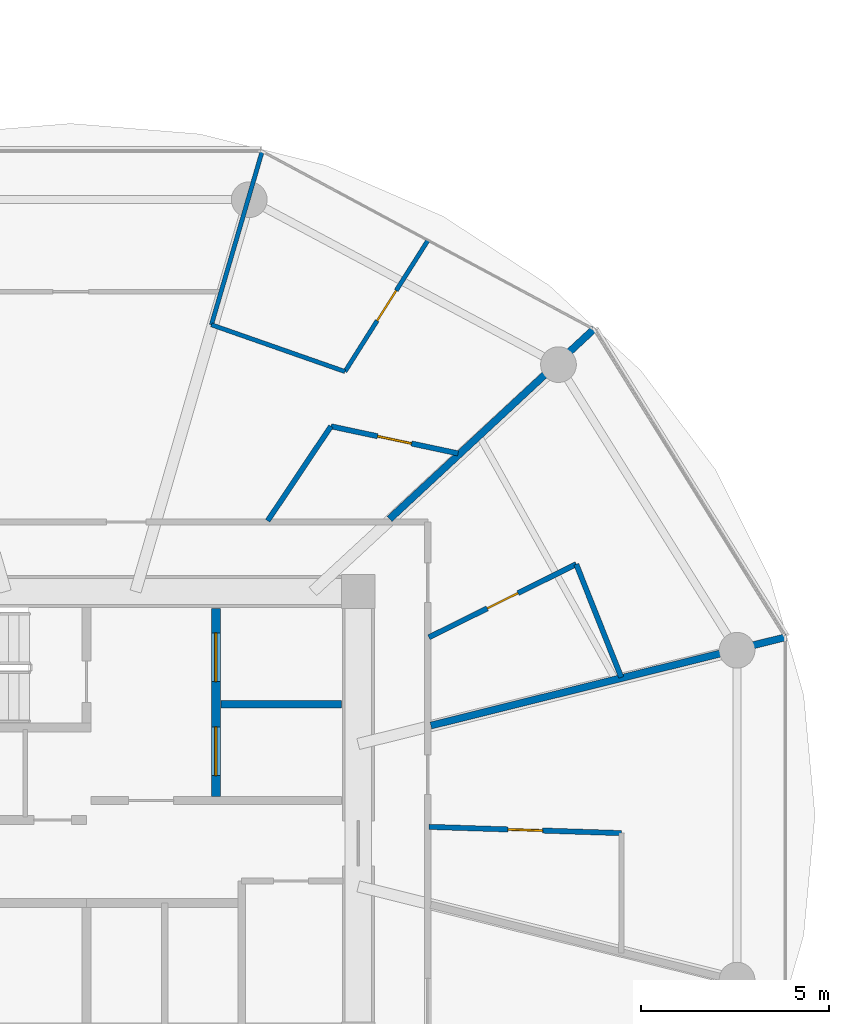
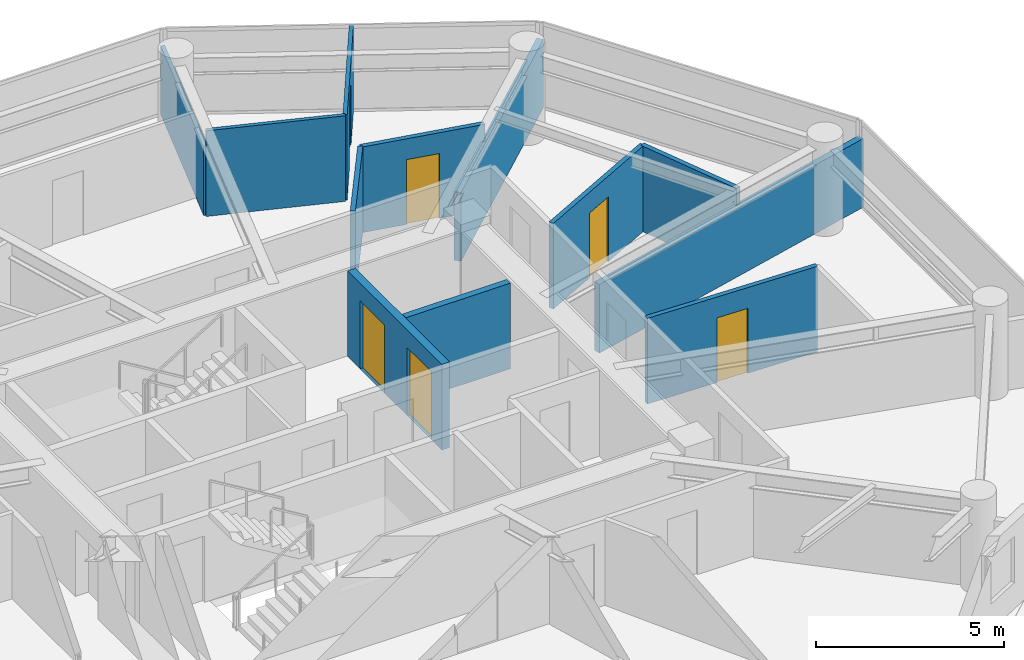
# One storey, part 20 of 26: 12 walls, 6 doors, 6 openings.
"""IFC4 building model written with IfcOpenShell, lengths in metres."""

from ifc_helpers import new_model, si_unit, direction, frame, frame_2d, origin, place, context, subcontext, project, spatial, rectangle, extrude, source, transform, mapped, material, layer, layer_set, type_object, type_shapes, element, fill, save


model = new_model("IFC4")

# Units and contexts
model_context = context("Model", 3, precision=1e-05, world=origin(), true_north=direction((0.0, 1.0)))
body_context = subcontext(model_context, "Body", "Model", "MODEL_VIEW")
ifc_project = project(units=[si_unit("LENGTHUNIT", "METRE"), si_unit("AREAUNIT", "SQUARE_METRE"), si_unit("VOLUMEUNIT", "CUBIC_METRE"), si_unit("PLANEANGLEUNIT", "RADIAN"), si_unit("MASSUNIT", "GRAM", prefix="KILO")], contexts=[model_context])

# Site, building, storey
site_placement = place(None, origin())
site = spatial("IfcSite", under=ifc_project, at=site_placement, CompositionType="ELEMENT")
building_placement = place(site_placement, origin())
building = spatial("IfcBuilding", under=site, at=building_placement, Name="Norrkilde Senior Care Towers", CompositionType="ELEMENT")
storey_placement = place(building_placement, frame((0.0, 0.0, 24.64990234375)))
storey = spatial("IfcBuildingStorey", under=building, at=storey_placement, Name="L06", CompositionType="ELEMENT", Elevation=24.64990234375)

# Wall, openings, doors
ifc_material_1 = material(Name="Concrete C45/55", Category="concrete")
ifc_layer_1 = layer(ifc_material_1, 0.239990234375)
ifc_layer_set_1 = layer_set([ifc_layer_1], Name="Concrete C45/55")
wall_type_1 = type_object("IfcWallType", Name="Lift and Plant Rated Enclosure Partition 240", PredefinedType="PARTITIONING", material=ifc_layer_set_1)
shared_shape_1 = source(origin(), body_context, "Body", "SweptSolid", [
    extrude(rectangle(XDim=5.0, YDim=0.239990234375, at=frame_2d((2.5, 0.0))), origin(), (0.0, 0.0, 1.0), 2.775146484375),
])
type_shapes(wall_type_1, [shared_shape_1])
wall_1_placement = place(storey_placement, frame((31.860107421875, 0.5, 0.0), z_axis=(0.0, 0.0, 1.0), x_axis=(0.0, 1.0, 0.0)))
wall_1 = element("IfcWall", 1, at=wall_1_placement, inside=storey, type_object=wall_type_1, Name="WL-INT-L06-E-FFLE", PredefinedType="PARTITIONING", context=body_context, shape_type="MappedRepresentation", body=[
    mapped(shared_shape_1, transform((0.0, 0.0, 0.0), x_axis=(1.0, 0.0, 0.0), y_axis=(0.0, 1.0, 0.0), z_axis=(0.0, 0.0, 1.0), scale=1.0)),
])
opening_1_placement = place(wall_1_placement, frame((3.050048828125, 0.0, 0.0)))
opening_1 = element("IfcOpeningElement", 2, at=opening_1_placement, cuts=wall_1, Name="Opening LD-02", PredefinedType="OPENING", context=body_context, shape_type="SweptSolid", body=[
    extrude(rectangle(XDim=1.300048828125, YDim=2.199951171875, at=frame_2d((0.64990234375, 1.10009765625))), frame((0.0, 0.1298828125, 0.0), z_axis=(0.0, -1.0, 0.0), x_axis=(1.0, 0.0, 0.0)), (0.0, 0.0, 1.0), 0.260009765625),
])
opening_2_placement = place(wall_1_placement, frame((0.550048828125, 0.0, 0.0)))
opening_2 = element("IfcOpeningElement", 3, at=opening_2_placement, cuts=wall_1, Name="Opening LD-02", PredefinedType="OPENING", context=body_context, shape_type="SweptSolid", body=[
    extrude(rectangle(XDim=1.300048828125, YDim=2.199951171875, at=frame_2d((0.64990234375, 1.10009765625))), frame((0.0, 0.1298828125, 0.0), z_axis=(0.0, -1.0, 0.0), x_axis=(1.0, 0.0, 0.0)), (0.0, 0.0, 1.0), 0.260009765625),
])
ifc_material_2 = material(Name="Stainless Steel", Category="steel")
door_type_1 = type_object("IfcDoorType", Name="Stretcher and FFL Landing Sliding Door 1300x2200", OperationType="NOTDEFINED", PredefinedType="DOOR", material=ifc_material_2)
shared_shape_2 = source(origin(), body_context, "Body", "SweptSolid", [
    extrude(rectangle(XDim=1.300048828125, YDim=2.199951171875, at=frame_2d((0.64990234375, 1.10009765625))), frame((0.0, 0.02490234375, 0.0), z_axis=(0.0, -1.0, 0.0), x_axis=(1.0, 0.0, 0.0)), (0.0, 0.0, 1.0), 0.050048828125),
])
type_shapes(door_type_1, [shared_shape_2])
door_1_placement = place(opening_1_placement, origin())
door_1 = element("IfcDoor", 4, at=door_1_placement, inside=storey, type_object=door_type_1, Name="L06 Firefighting Lift E1 Landing Door", OperationType="SLIDING_TO_LEFT", OverallHeight=2.199951171875, OverallWidth=1.300048828125, PredefinedType="DOOR", context=body_context, shape_type="MappedRepresentation", body=[
    mapped(shared_shape_2, transform((0.0, 0.0, 0.0), x_axis=(1.0, 0.0, 0.0), y_axis=(0.0, 1.0, 0.0), z_axis=(0.0, 0.0, 1.0), scale=1.0)),
])
fill(opening_1, door_1)
door_2_placement = place(opening_2_placement, origin())
door_2 = element("IfcDoor", 5, at=door_2_placement, inside=storey, type_object=door_type_1, Name="L06 Stretcher Lift E1 Landing Door", OperationType="SLIDING_TO_RIGHT", OverallHeight=2.199951171875, OverallWidth=1.300048828125, PredefinedType="DOOR", context=body_context, shape_type="MappedRepresentation", body=[
    mapped(shared_shape_2, transform((0.0, 0.0, 0.0), x_axis=(1.0, 0.0, 0.0), y_axis=(0.0, 1.0, 0.0), z_axis=(0.0, 0.0, 1.0), scale=1.0)),
])
fill(opening_2, door_2)

# Walls
ifc_layer_2 = layer(ifc_material_1, 0.199951171875)
ifc_layer_set_2 = layer_set([ifc_layer_2], Name="Concrete C45/55")
wall_type_2 = type_object("IfcWallType", Name="Shaft Division and Plant Partition 200", PredefinedType="PARTITIONING", material=ifc_layer_set_2)
shared_shape_3 = source(origin(), body_context, "Body", "SweptSolid", [
    extrude(rectangle(XDim=3.199951171875, YDim=0.199951171875, at=frame_2d((1.60009765625, 0.0))), origin(), (0.0, 0.0, 1.0), 2.775146484375),
])
type_shapes(wall_type_2, [shared_shape_3])
wall_2_placement = place(storey_placement, frame((32.0, 2.949951171875, 0.0), z_axis=(0.0, 0.0, 1.0), x_axis=(1.0, 0.0, 0.0)))
element("IfcWall", 6, at=wall_2_placement, inside=storey, type_object=wall_type_2, Name="WL-INT-L06-E-FFLDIV", PredefinedType="PARTITIONING", context=body_context, shape_type="MappedRepresentation", body=[
    mapped(shared_shape_3, transform((0.0, 0.0, 0.0), x_axis=(1.0, 0.0, 0.0), y_axis=(0.0, 1.0, 0.0), z_axis=(0.0, 0.0, 1.0), scale=1.0)),
])
ifc_material_3 = material(Name="Gypsum Acoustic Board")
ifc_layer_3 = layer(ifc_material_3, 0.18994140625)
ifc_layer_set_3 = layer_set([ifc_layer_3], Name="Gypsum Acoustic Board")
wall_type_3 = type_object("IfcWallType", Name="Unit Demising Acoustic Wall 190", PredefinedType="PARTITIONING", material=ifc_layer_set_3)
shared_shape_4 = source(origin(), body_context, "Body", "SweptSolid", [
    extrude(rectangle(XDim=7.4345703125, YDim=0.18994140625, at=frame_2d((3.71728515625, 0.0))), origin(), (0.0, 0.0, 1.0), 2.22509765625),
])
wall_3_placement = place(storey_placement, frame((36.48291015625, 7.8798828125, 0.0), z_axis=(0.0, 0.0, 1.0), x_axis=(0.732651956848, 0.680603489652, 0.0)))
element("IfcWall", 7, at=wall_3_placement, inside=storey, type_object=wall_type_3, Name="WL-INT-L06-E-DEM-01-0", PredefinedType="PARTITIONING", context=body_context, shape_type="MappedRepresentation", body=[
    mapped(shared_shape_4, transform((0.0, 0.0, 0.0), x_axis=(1.0, 0.0, 0.0), y_axis=(0.0, 1.0, 0.0), z_axis=(0.0, 0.0, 1.0), scale=1.0)),
])
shared_shape_5 = source(origin(), body_context, "Body", "SweptSolid", [
    extrude(rectangle(XDim=9.737060546875, YDim=0.18994140625, at=frame_2d((4.86865234375, 0.0))), origin(), (0.0, 0.0, 1.0), 2.22509765625),
])
type_shapes(wall_type_3, [shared_shape_4, shared_shape_5])
wall_4_placement = place(storey_placement, frame((37.580078125, 2.384521484375, 0.0), z_axis=(0.0, 0.0, 1.0), x_axis=(0.970392716238, 0.241532557375, 0.0)))
element("IfcWall", 8, at=wall_4_placement, inside=storey, type_object=wall_type_3, Name="WL-INT-L06-E-DEM-00-0", PredefinedType="PARTITIONING", context=body_context, shape_type="MappedRepresentation", body=[
    mapped(shared_shape_5, transform((0.0, 0.0, 0.0), x_axis=(1.0, 0.0, 0.0), y_axis=(0.0, 1.0, 0.0), z_axis=(0.0, 0.0, 1.0), scale=1.0)),
])
ifc_layer_4 = layer(ifc_material_3, 0.114990234375)
ifc_layer_set_4 = layer_set([ifc_layer_4], Name="Gypsum Acoustic Board")
wall_type_4 = type_object("IfcWallType", Name="Internal Room Partition 115", PredefinedType="PARTITIONING", material=ifc_layer_set_4)
shared_shape_6 = source(origin(), body_context, "Body", "SweptSolid", [
    extrude(rectangle(XDim=4.8291015625, YDim=0.114990234375, at=frame_2d((2.41455078125, 0.0))), origin(), (0.0, 0.0, 1.0), 2.22509765625),
])
wall_5_placement = place(storey_placement, frame((31.742431640625, 13.041748046875, 0.0), z_axis=(0.0, 0.0, 1.0), x_axis=(0.280838556456, 0.959755023539, 0.0)))
element("IfcWall", 9, at=wall_5_placement, inside=storey, type_object=wall_type_4, Name="WL-INT-L06-E-UBR-01-1", PredefinedType="PARTITIONING", context=body_context, shape_type="MappedRepresentation", body=[
    mapped(shared_shape_6, transform((0.0, 0.0, 0.0), x_axis=(1.0, 0.0, 0.0), y_axis=(0.0, 1.0, 0.0), z_axis=(0.0, 0.0, 1.0), scale=1.0)),
])
ifc_layer_5 = layer(ifc_material_3, 0.139892578125)
ifc_layer_set_5 = layer_set([ifc_layer_5], Name="Gypsum Acoustic Board")
wall_type_5 = type_object("IfcWallType", Name="En-suite Wet Room Wall 140", PredefinedType="PARTITIONING", material=ifc_layer_set_5)
shared_shape_7 = source(origin(), body_context, "Body", "SweptSolid", [
    extrude(rectangle(XDim=3.025146484375, YDim=0.139892578125, at=frame_2d((1.5126953125, 0.0))), origin(), (0.0, 0.0, 1.0), 2.775146484375),
])
wall_6_placement = place(storey_placement, frame((33.23974609375, 7.830078125, 0.0), z_axis=(0.0, 0.0, 1.0), x_axis=(0.556189165904, 0.831055721195, 0.0)))
element("IfcWall", 10, at=wall_6_placement, inside=storey, type_object=wall_type_5, Name="WL-INT-L06-E-UBTS-01", PredefinedType="PARTITIONING", context=body_context, shape_type="MappedRepresentation", body=[
    mapped(shared_shape_7, transform((0.0, 0.0, 0.0), x_axis=(1.0, 0.0, 0.0), y_axis=(0.0, 1.0, 0.0), z_axis=(0.0, 0.0, 1.0), scale=1.0)),
])

# Wall, opening, door
shared_shape_8 = source(origin(), body_context, "Body", "SweptSolid", [
    extrude(rectangle(XDim=3.458984375, YDim=0.139892578125, at=frame_2d((1.7294921875, 0.0))), origin(), (0.0, 0.0, 1.0), 2.775146484375),
])
wall_7_placement = place(storey_placement, frame((34.92236328125, 10.34423828125, 0.0), z_axis=(0.0, 0.0, 1.0), x_axis=(0.978006468578, -0.208574560815, 0.0)))
wall_7 = element("IfcWall", 11, at=wall_7_placement, inside=storey, type_object=wall_type_5, Name="WL-INT-L06-E-UBTF-01", PredefinedType="PARTITIONING", context=body_context, shape_type="MappedRepresentation", body=[
    mapped(shared_shape_8, transform((0.0, 0.0, 0.0), x_axis=(1.0, 0.0, 0.0), y_axis=(0.0, 1.0, 0.0), z_axis=(0.0, 0.0, 1.0), scale=1.0)),
])
opening_3_placement = place(wall_7_placement, frame((1.26953125, 0.0, 0.0)))
opening_3 = element("IfcOpeningElement", 12, at=opening_3_placement, cuts=wall_7, Name="Opening D-08", PredefinedType="OPENING", context=body_context, shape_type="SweptSolid", body=[
    extrude(rectangle(XDim=0.919921875, YDim=2.10009765625, at=frame_2d((0.4599609375, 1.050048828125))), frame((0.0, 0.079833984375, 0.0), z_axis=(0.0, -1.0, 0.0), x_axis=(1.0, 0.0, 0.0)), (0.0, 0.0, 1.0), 0.159912109375),
])
ifc_material_4 = material(Name="Nordic Ash Timber", Category="wood")
door_type_2 = type_object("IfcDoorType", Name="Accessible Wet Room Door 920x2100", OperationType="NOTDEFINED", PredefinedType="DOOR", material=ifc_material_4)
shared_shape_9 = source(origin(), body_context, "Body", "SweptSolid", [
    extrude(rectangle(XDim=0.919921875, YDim=2.10009765625, at=frame_2d((0.4599609375, 1.050048828125))), frame((0.0, 0.02490234375, 0.0), z_axis=(0.0, -1.0, 0.0), x_axis=(1.0, 0.0, 0.0)), (0.0, 0.0, 1.0), 0.050048828125),
])
type_shapes(door_type_2, [shared_shape_9])
door_3_placement = place(opening_3_placement, origin())
door_3 = element("IfcDoor", 13, at=door_3_placement, inside=storey, type_object=door_type_2, Name="Apartment 06A Bathroom Door", OperationType="SINGLE_SWING_LEFT", OverallHeight=2.10009765625, OverallWidth=0.919921875, PredefinedType="DOOR", context=body_context, shape_type="MappedRepresentation", body=[
    mapped(shared_shape_9, transform((0.0, 0.0, 0.0), x_axis=(1.0, 0.0, 0.0), y_axis=(0.0, 1.0, 0.0), z_axis=(0.0, 0.0, 1.0), scale=1.0)),
])
fill(opening_3, door_3)

shared_shape_10 = source(origin(), body_context, "Body", "SweptSolid", [
    extrude(rectangle(XDim=4.150390625, YDim=0.114990234375, at=frame_2d((2.0751953125, 0.0))), origin(), (0.0, 0.0, 1.0), 2.775146484375),
])
wall_8_placement = place(storey_placement, frame((35.296142578125, 11.800537109375, 0.0), z_axis=(0.0, 0.0, 1.0), x_axis=(0.534475378192, 0.845184045109, 0.0)))
wall_8 = element("IfcWall", 14, at=wall_8_placement, inside=storey, type_object=wall_type_4, Name="WL-INT-L06-E-UKTS-01", PredefinedType="PARTITIONING", context=body_context, shape_type="MappedRepresentation", body=[
    mapped(shared_shape_10, transform((0.0, 0.0, 0.0), x_axis=(1.0, 0.0, 0.0), y_axis=(0.0, 1.0, 0.0), z_axis=(0.0, 0.0, 1.0), scale=1.0)),
])
opening_4_placement = place(wall_8_placement, frame((1.60009765625, 0.0, 0.0)))
opening_4 = element("IfcOpeningElement", 15, at=opening_4_placement, cuts=wall_8, Name="Opening D-07", PredefinedType="OPENING", context=body_context, shape_type="SweptSolid", body=[
    extrude(rectangle(XDim=0.949951171875, YDim=2.10009765625, at=frame_2d((0.47509765625, 1.050048828125))), frame((0.0, 0.0673828125, 0.0), z_axis=(0.0, -1.0, 0.0), x_axis=(1.0, 0.0, 0.0)), (0.0, 0.0, 1.0), 0.135009765625),
])
door_type_3 = type_object("IfcDoorType", Name="Internal Suite Bedroom Door 950x2100", OperationType="NOTDEFINED", PredefinedType="DOOR", material=ifc_material_4)
shared_shape_11 = source(origin(), body_context, "Body", "SweptSolid", [
    extrude(rectangle(XDim=0.949951171875, YDim=2.10009765625, at=frame_2d((0.47509765625, 1.050048828125))), frame((0.0, 0.02490234375, 0.0), z_axis=(0.0, -1.0, 0.0), x_axis=(1.0, 0.0, 0.0)), (0.0, 0.0, 1.0), 0.050048828125),
])
type_shapes(door_type_3, [shared_shape_11])
door_4_placement = place(opening_4_placement, frame((0.949951171875, 0.0, 0.0), z_axis=(0.0, 0.0, 1.0), x_axis=(-1.0, 0.0, 0.0)))
door_4 = element("IfcDoor", 16, at=door_4_placement, inside=storey, type_object=door_type_3, Name="Apartment 06A Kitchen Door", OperationType="SINGLE_SWING_RIGHT", OverallHeight=2.10009765625, OverallWidth=0.949951171875, PredefinedType="DOOR", context=body_context, shape_type="MappedRepresentation", body=[
    mapped(shared_shape_11, transform((0.0, 0.0, 0.0), x_axis=(1.0, 0.0, 0.0), y_axis=(0.0, 1.0, 0.0), z_axis=(0.0, 0.0, 1.0), scale=1.0)),
])
fill(opening_4, door_4)

# Wall
shared_shape_12 = source(origin(), body_context, "Body", "SweptSolid", [
    extrude(rectangle(XDim=3.7646484375, YDim=0.114990234375, at=frame_2d((1.88232421875, 0.0))), origin(), (0.0, 0.0, 1.0), 2.775146484375),
])
type_shapes(wall_type_4, [shared_shape_6, shared_shape_10, shared_shape_12])
wall_9_placement = place(storey_placement, frame((35.296142578125, 11.800537109375, 0.0), z_axis=(0.0, 0.0, 1.0), x_axis=(-0.943788572669, 0.330549739222, 0.0)))
element("IfcWall", 17, at=wall_9_placement, inside=storey, type_object=wall_type_4, Name="WL-INT-L06-E-UKTF-01", PredefinedType="PARTITIONING", context=body_context, shape_type="MappedRepresentation", body=[
    mapped(shared_shape_12, transform((0.0, 0.0, 0.0), x_axis=(1.0, 0.0, 0.0), y_axis=(0.0, 1.0, 0.0), z_axis=(0.0, 0.0, 1.0), scale=1.0)),
])

# Wall, opening, door
shared_shape_13 = source(origin(), body_context, "Body", "SweptSolid", [
    extrude(rectangle(XDim=5.127685546875, YDim=0.139892578125, at=frame_2d((2.56396484375, 0.0))), origin(), (0.0, 0.0, 1.0), 2.775146484375),
])
wall_10_placement = place(storey_placement, frame((37.530029296875, -0.310791015625, 0.0), z_axis=(0.0, 0.0, 1.0), x_axis=(0.999469568972, -0.032566557983, 0.0)))
wall_10 = element("IfcWall", 18, at=wall_10_placement, inside=storey, type_object=wall_type_5, Name="WL-INT-L06-E-ES-11", PredefinedType="PARTITIONING", context=body_context, shape_type="MappedRepresentation", body=[
    mapped(shared_shape_13, transform((0.0, 0.0, 0.0), x_axis=(1.0, 0.0, 0.0), y_axis=(0.0, 1.0, 0.0), z_axis=(0.0, 0.0, 1.0), scale=1.0)),
])
opening_5_placement = place(wall_10_placement, frame((2.10400390625, 0.0, 0.0)))
opening_5 = element("IfcOpeningElement", 19, at=opening_5_placement, cuts=wall_10, Name="Opening D-08", PredefinedType="OPENING", context=body_context, shape_type="SweptSolid", body=[
    extrude(rectangle(XDim=0.919921875, YDim=2.10009765625, at=frame_2d((0.4599609375, 1.050048828125))), frame((0.0, 0.079833984375, 0.0), z_axis=(0.0, -1.0, 0.0), x_axis=(1.0, 0.0, 0.0)), (0.0, 0.0, 1.0), 0.159912109375),
])
door_5_placement = place(opening_5_placement, origin())
door_5 = element("IfcDoor", 20, at=door_5_placement, inside=storey, type_object=door_type_2, Name="L06 Studio 06G Bathroom Door", OperationType="SINGLE_SWING_RIGHT", OverallHeight=2.10009765625, OverallWidth=0.919921875, PredefinedType="DOOR", context=body_context, shape_type="MappedRepresentation", body=[
    mapped(shared_shape_9, transform((0.0, 0.0, 0.0), x_axis=(1.0, 0.0, 0.0), y_axis=(0.0, 1.0, 0.0), z_axis=(0.0, 0.0, 1.0), scale=1.0)),
])
fill(opening_5, door_5)

shared_shape_14 = source(origin(), body_context, "Body", "SweptSolid", [
    extrude(rectangle(XDim=4.37353515625, YDim=0.139892578125, at=frame_2d((2.186767578125, 0.0))), origin(), (0.0, 0.0, 1.0), 2.775146484375),
])
wall_11_placement = place(storey_placement, frame((37.530029296875, 4.731689453125, 0.0), z_axis=(0.0, 0.0, 1.0), x_axis=(0.89568523908, 0.444688601714, 0.0)))
wall_11 = element("IfcWall", 21, at=wall_11_placement, inside=storey, type_object=wall_type_5, Name="WL-INT-L06-E-ES-00", PredefinedType="PARTITIONING", context=body_context, shape_type="MappedRepresentation", body=[
    mapped(shared_shape_14, transform((0.0, 0.0, 0.0), x_axis=(1.0, 0.0, 0.0), y_axis=(0.0, 1.0, 0.0), z_axis=(0.0, 0.0, 1.0), scale=1.0)),
])
opening_6_placement = place(wall_11_placement, frame((1.726806640625, 0.0, 0.0)))
opening_6 = element("IfcOpeningElement", 22, at=opening_6_placement, cuts=wall_11, Name="Opening D-08", PredefinedType="OPENING", context=body_context, shape_type="SweptSolid", body=[
    extrude(rectangle(XDim=0.919921875, YDim=2.10009765625, at=frame_2d((0.4599609375, 1.050048828125))), frame((0.0, 0.079833984375, 0.0), z_axis=(0.0, -1.0, 0.0), x_axis=(1.0, 0.0, 0.0)), (0.0, 0.0, 1.0), 0.159912109375),
])
door_6_placement = place(opening_6_placement, origin())
door_6 = element("IfcDoor", 23, at=door_6_placement, inside=storey, type_object=door_type_2, Name="L06 Studio 06H Bathroom Door", OperationType="SINGLE_SWING_LEFT", OverallHeight=2.10009765625, OverallWidth=0.919921875, PredefinedType="DOOR", context=body_context, shape_type="MappedRepresentation", body=[
    mapped(shared_shape_9, transform((0.0, 0.0, 0.0), x_axis=(1.0, 0.0, 0.0), y_axis=(0.0, 1.0, 0.0), z_axis=(0.0, 0.0, 1.0), scale=1.0)),
])
fill(opening_6, door_6)

# Wall
shared_shape_15 = source(origin(), body_context, "Body", "SweptSolid", [
    extrude(rectangle(XDim=3.241943359375, YDim=0.139892578125, at=frame_2d((1.62109375, 0.0))), origin(), (0.0, 0.0, 1.0), 2.775146484375),
])
type_shapes(wall_type_5, [shared_shape_7, shared_shape_8, shared_shape_13, shared_shape_14, shared_shape_15])
wall_12_placement = place(storey_placement, frame((41.447265625, 6.676513671875, 0.0), z_axis=(0.0, 0.0, 1.0), x_axis=(0.36984501862, -0.929093462576, 0.0)))
element("IfcWall", 24, at=wall_12_placement, inside=storey, type_object=wall_type_5, Name="WL-INT-L06-E-EF-00", PredefinedType="PARTITIONING", context=body_context, shape_type="MappedRepresentation", body=[
    mapped(shared_shape_15, transform((0.0, 0.0, 0.0), x_axis=(1.0, 0.0, 0.0), y_axis=(0.0, 1.0, 0.0), z_axis=(0.0, 0.0, 1.0), scale=1.0)),
])

save(model, "model.ifc")
